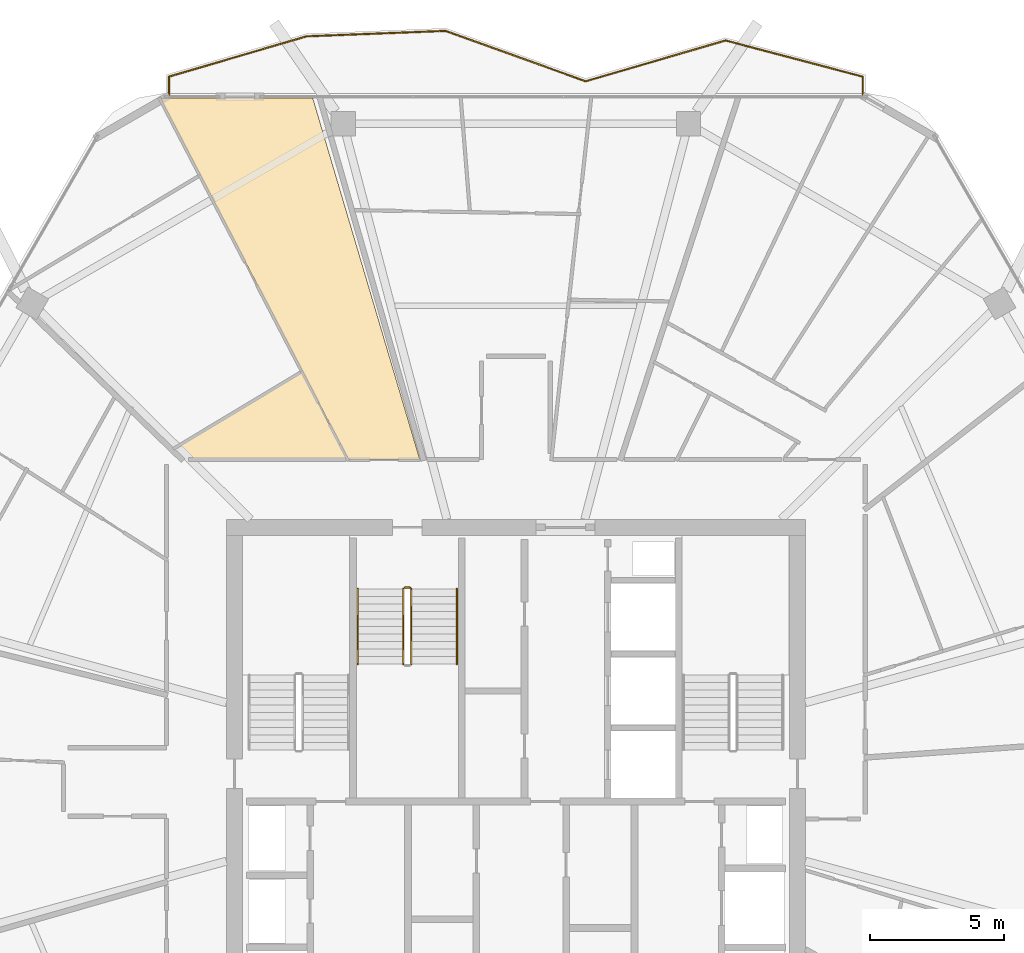
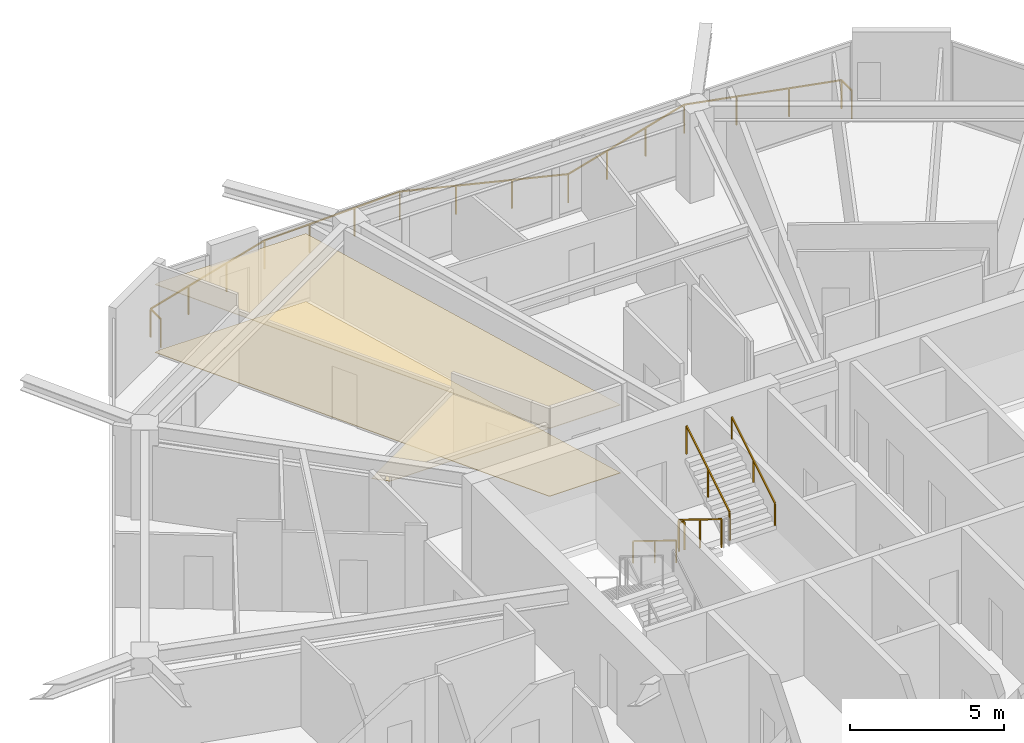
# One storey, part 26 of 26: 6 railings, 3 coverings.
"""IFC4 building model written with IfcOpenShell, lengths in metres."""

from ifc_helpers import new_model, si_unit, direction, frame, origin, origin_2d, place, context, subcontext, project, spatial, polyline, rectangle, outline, extrude, material, layer, layer_set, type_object, element, save


model = new_model("IFC4")

# Units and contexts
model_context = context("Model", 3, precision=1e-05, world=origin(), true_north=direction((0.0, 1.0)))
body_context = subcontext(model_context, "Body", "Model", "MODEL_VIEW")
ifc_project = project(units=[si_unit("LENGTHUNIT", "METRE"), si_unit("AREAUNIT", "SQUARE_METRE"), si_unit("VOLUMEUNIT", "CUBIC_METRE"), si_unit("PLANEANGLEUNIT", "RADIAN"), si_unit("MASSUNIT", "GRAM", prefix="KILO")], contexts=[model_context])

# Site, building, storey
site_placement = place(None, origin())
site = spatial("IfcSite", under=ifc_project, at=site_placement, CompositionType="ELEMENT")
building_placement = place(site_placement, origin())
building = spatial("IfcBuilding", under=site, at=building_placement, Name="Zuhravey Tower", CompositionType="ELEMENT")
storey_placement = place(building_placement, frame((0.0, 0.0, 242.60009765625)))
storey = spatial("IfcBuildingStorey", under=building, at=storey_placement, Name="L61", CompositionType="ELEMENT", Elevation=242.60009765625)

# Coverings
ifc_material_1 = material(Name="Mineral-fibre acoustic ceiling tile")
ifc_layer_1 = layer(ifc_material_1, 0.02490234375)
ifc_layer_set_1 = layer_set([ifc_layer_1], Name="Mineral-fibre acoustic ceiling tile")
covering_type_1 = type_object("IfcCoveringType", Name="Acoustic Suspended Ceiling", PredefinedType="CEILING", material=ifc_layer_set_1)
covering_1_placement = place(storey_placement, frame((0.0, 0.0, 2.68994140625)))
element("IfcCovering", 1, at=covering_1_placement, inside=storey, type_object=covering_type_1, Name="L61 Acoustic Suspended Ceiling CLG1", PredefinedType="CEILING", context=body_context, shape_type="SweptSolid", body=[
    extrude(outline(polyline([(22.965576171875, 57.523681640625), (28.418701171875, 57.523681640625), (32.415771484375, 44.030029296875), (29.7548828125, 44.030029296875), (22.744873046875, 57.484619140625), (22.965576171875, 57.523681640625)])), origin(), (0.0, 0.0, 1.0), 0.02490234375),
])
ifc_material_2 = material(Name="Porcelain tile finish")
ifc_layer_2 = layer(ifc_material_2, 0.02001953125)
ifc_layer_set_2 = layer_set([ifc_layer_2], Name="Porcelain tile finish")
covering_type_2 = type_object("IfcCoveringType", Name="Apartment Ondol Porcelain Flooring", PredefinedType="FLOORING", material=ifc_layer_set_2)
covering_2_placement = place(storey_placement, origin())
element("IfcCovering", 2, at=covering_2_placement, inside=storey, type_object=covering_type_2, Name="L61 Principal Room Acoustic Flooring", PredefinedType="FLOORING", context=body_context, shape_type="SweptSolid", body=[
    extrude(outline(polyline([(22.965576171875, 57.523681640625), (28.418701171875, 57.523681640625), (32.415771484375, 44.030029296875), (29.7548828125, 44.030029296875), (22.744873046875, 57.484619140625), (22.965576171875, 57.523681640625)])), origin(), (0.0, 0.0, 1.0), 0.02001953125),
])

# Railing
ifc_material_3 = material(Name="Stainless steel 316 and laminated glass", Category="steel")
railing_type_1 = type_object("IfcRailingType", Name="Balcony & Terrace Guardrail 1150", PredefinedType="BALUSTRADE", material=ifc_material_3)
railing_1_placement = place(storey_placement, frame((23.058349609375, 57.648681640625, 0.0)))
element("IfcRailing", 3, at=railing_1_placement, inside=storey, type_object=railing_type_1, Name="L61 Face 2 Wave Balcony Guardrail GR1", PredefinedType="BALUSTRADE", context=body_context, shape_type="SweptSolid", body=[
    extrude(rectangle(XDim=0.048095703125, YDim=0.048095703125, at=origin_2d()), frame((0.0, 0.001953125, 1.1259765625), z_axis=(0.0, 1.0, 0.0), x_axis=(-1.0, 0.0, 0.0)), (0.0, 0.0, 1.0), 0.6611328125),
    extrude(rectangle(XDim=0.048095703125, YDim=0.048095703125, at=origin_2d()), frame((0.001953125, 0.66552734375, 1.1259765625), z_axis=(0.959683966363, 0.281081277758, 0.0), x_axis=(-0.281081277758, 0.959683966363, 0.0)), (0.0, 0.0, 1.0), 5.3447265625),
    extrude(rectangle(XDim=0.048095703125, YDim=0.048095703125, at=origin_2d()), frame((5.135009765625, 2.16845703125, 1.1259765625), z_axis=(0.999235306599, 0.039099898281, 0.0), x_axis=(-0.039099898281, 0.999235306599, 0.0)), (0.0, 0.0, 1.0), 5.184814453125),
    extrude(rectangle(XDim=0.048095703125, YDim=0.048095703125, at=origin_2d()), frame((10.31982421875, 2.37060546875, 1.1259765625), z_axis=(0.941043028519, -0.338286887826, 0.0), x_axis=(0.338286887826, 0.941043028519, 0.0)), (0.0, 0.0, 1.0), 5.55224609375),
    extrude(rectangle(XDim=0.048095703125, YDim=0.048095703125, at=origin_2d()), frame((15.548583984375, 0.4921875, 1.1259765625), z_axis=(0.960058802449, 0.279798312791, 0.0), x_axis=(-0.279798312791, 0.960058802449, 0.0)), (0.0, 0.0, 1.0), 5.4345703125),
    extrude(rectangle(XDim=0.048095703125, YDim=0.048095703125, at=origin_2d()), frame((20.77001953125, 2.012939453125, 1.1259765625), z_axis=(0.966866195284, -0.255283686155, 0.0), x_axis=(0.255283686155, 0.966866195284, 0.0)), (0.0, 0.0, 1.0), 5.28662109375),
    extrude(rectangle(XDim=0.048095703125, YDim=0.048095703125, at=origin_2d()), frame((25.88330078125, 0.660888671875, 1.1259765625), z_axis=(0.0, -1.0, 0.0), x_axis=(1.0, 0.0, 0.0)), (0.0, 0.0, 1.0), 0.658935546875),
    extrude(rectangle(XDim=0.0419921875, YDim=0.0419921875, at=origin_2d()), origin(), (0.0, 0.0, 1.0), 1.099853515625),
    extrude(rectangle(XDim=0.0419921875, YDim=0.0419921875, at=origin_2d()), frame((0.0, 0.6650390625, 0.0)), (0.0, 0.0, 1.0), 1.099853515625),
    extrude(rectangle(XDim=0.0419921875, YDim=0.0419921875, at=origin_2d()), frame((1.7109375, 1.166259765625, 0.0)), (0.0, 0.0, 1.0), 1.099853515625),
    extrude(rectangle(XDim=0.0419921875, YDim=0.0419921875, at=origin_2d()), frame((3.422119140625, 1.667236328125, 0.0)), (0.0, 0.0, 1.0), 1.099853515625),
    extrude(rectangle(XDim=0.0419921875, YDim=0.0419921875, at=origin_2d()), frame((5.133056640625, 2.16845703125, 0.0)), (0.0, 0.0, 1.0), 1.099853515625),
    extrude(rectangle(XDim=0.0419921875, YDim=0.0419921875, at=origin_2d()), frame((6.861328125, 2.236083984375, 0.0)), (0.0, 0.0, 1.0), 1.099853515625),
    extrude(rectangle(XDim=0.0419921875, YDim=0.0419921875, at=origin_2d()), frame((8.589599609375, 2.3037109375, 0.0)), (0.0, 0.0, 1.0), 1.099853515625),
    extrude(rectangle(XDim=0.0419921875, YDim=0.0419921875, at=origin_2d()), frame((10.31787109375, 2.371337890625, 0.0)), (0.0, 0.0, 1.0), 1.099853515625),
    extrude(rectangle(XDim=0.0419921875, YDim=0.0419921875, at=origin_2d()), frame((12.060791015625, 1.744873046875, 0.0)), (0.0, 0.0, 1.0), 1.099853515625),
    extrude(rectangle(XDim=0.0419921875, YDim=0.0419921875, at=origin_2d()), frame((13.8037109375, 1.1181640625, 0.0)), (0.0, 0.0, 1.0), 1.099853515625),
    extrude(rectangle(XDim=0.0419921875, YDim=0.0419921875, at=origin_2d()), frame((15.546630859375, 0.49169921875, 0.0)), (0.0, 0.0, 1.0), 1.099853515625),
    extrude(rectangle(XDim=0.0419921875, YDim=0.0419921875, at=origin_2d()), frame((17.287109375, 0.9990234375, 0.0)), (0.0, 0.0, 1.0), 1.099853515625),
    extrude(rectangle(XDim=0.0419921875, YDim=0.0419921875, at=origin_2d()), frame((19.027587890625, 1.506103515625, 0.0)), (0.0, 0.0, 1.0), 1.099853515625),
    extrude(rectangle(XDim=0.0419921875, YDim=0.0419921875, at=origin_2d()), frame((20.76806640625, 2.013427734375, 0.0)), (0.0, 0.0, 1.0), 1.099853515625),
    extrude(rectangle(XDim=0.0419921875, YDim=0.0419921875, at=origin_2d()), frame((22.47314453125, 1.563232421875, 0.0)), (0.0, 0.0, 1.0), 1.099853515625),
    extrude(rectangle(XDim=0.0419921875, YDim=0.0419921875, at=origin_2d()), frame((24.17822265625, 1.113037109375, 0.0)), (0.0, 0.0, 1.0), 1.099853515625),
    extrude(rectangle(XDim=0.0419921875, YDim=0.0419921875, at=origin_2d()), frame((25.88330078125, 0.662841796875, 0.0)), (0.0, 0.0, 1.0), 1.099853515625),
    extrude(rectangle(XDim=0.0419921875, YDim=0.0419921875, at=origin_2d()), frame((25.88330078125, 0.0, 0.0)), (0.0, 0.0, 1.0), 1.099853515625),
])

# Covering
ifc_material_4 = material(Name="Moisture-resistant gypsum ceiling board")
ifc_layer_3 = layer(ifc_material_4, 0.02001953125)
ifc_layer_set_3 = layer_set([ifc_layer_3], Name="Moisture-resistant gypsum ceiling board")
covering_type_3 = type_object("IfcCoveringType", Name="Moisture-Resistant Ceiling", PredefinedType="CEILING", material=ifc_layer_set_3)
covering_3_placement = place(storey_placement, frame((0.0, 0.0, 2.68994140625)))
element("IfcCovering", 4, at=covering_3_placement, inside=storey, type_object=covering_type_3, Name="L61 Wet-Room Ceiling CLG2", PredefinedType="CEILING", context=body_context, shape_type="SweptSolid", body=[
    extrude(outline(polyline([(29.709716796875, 44.030029296875), (23.78662109375, 44.030029296875), (23.3369140625, 44.47216796875), (28.014892578125, 47.282958984375), (29.709716796875, 44.030029296875)])), origin(), (0.0, 0.0, 1.0), 0.02001953125),
])

# Railings
ifc_material_5 = material(Name="Brushed stainless steel", Category="steel")
railing_type_2 = type_object("IfcRailingType", Name="Stair Wall Handrail 900", PredefinedType="HANDRAIL", material=ifc_material_5)
railing_2_placement = place(storey_placement, frame((30.10009765625, 39.199951171875, 0.172607421875)))
element("IfcRailing", 5, at=railing_2_placement, inside=storey, type_object=railing_type_2, Name="L61 ST3 stair handrail 1", PredefinedType="HANDRAIL", context=body_context, shape_type="SweptSolid", body=[
    extrude(rectangle(XDim=0.048095703125, YDim=0.048095703125, at=origin_2d()), frame((0.0, -0.001708984375, 0.876953125), z_axis=(0.0, -0.851089632645, 0.525020415988), x_axis=(1.0, 0.0, 0.0)), (0.0, 0.0, 1.0), 3.285888671875),
    extrude(rectangle(XDim=0.0419921875, YDim=0.0419921875, at=origin_2d()), origin(), (0.0, 0.0, 1.0), 0.849853515625),
    extrude(rectangle(XDim=0.0419921875, YDim=0.0419921875, at=origin_2d()), frame((0.0, -1.39990234375, 0.86376953125)), (0.0, 0.0, 1.0), 0.849853515625),
    extrude(rectangle(XDim=0.0419921875, YDim=0.0419921875, at=origin_2d()), frame((0.0, -2.800048828125, 1.727294921875)), (0.0, 0.0, 1.0), 0.849853515625),
])
railing_3_placement = place(storey_placement, frame((33.800048828125, 36.39990234375, 2.072509765625)))
element("IfcRailing", 6, at=railing_3_placement, inside=storey, type_object=railing_type_2, Name="L61 ST3 stair handrail 2", PredefinedType="HANDRAIL", context=body_context, shape_type="SweptSolid", body=[
    extrude(rectangle(XDim=0.048095703125, YDim=0.048095703125, at=origin_2d()), frame((0.0, 0.001708984375, 0.876953125), z_axis=(0.0, 0.851089632645, 0.525020415988), x_axis=(-1.0, 0.0, 0.0)), (0.0, 0.0, 1.0), 3.285888671875),
    extrude(rectangle(XDim=0.0419921875, YDim=0.0419921875, at=origin_2d()), origin(), (0.0, 0.0, 1.0), 0.849853515625),
    extrude(rectangle(XDim=0.0419921875, YDim=0.0419921875, at=origin_2d()), frame((0.0, 1.39990234375, 0.86376953125)), (0.0, 0.0, 1.0), 0.849853515625),
    extrude(rectangle(XDim=0.0419921875, YDim=0.0419921875, at=origin_2d()), frame((0.0, 2.800048828125, 1.727294921875)), (0.0, 0.0, 1.0), 0.849853515625),
])
ifc_material_6 = material(Name="Painted tubular steel", Category="steel")
railing_type_3 = type_object("IfcRailingType", Name="Stair Well Guardrail 1150", PredefinedType="GUARDRAIL", material=ifc_material_6)
railing_4_placement = place(storey_placement, frame((31.800048828125, 39.199951171875, 0.172607421875)))
element("IfcRailing", 7, at=railing_4_placement, inside=storey, type_object=railing_type_3, Name="L61 ST3 stair guard 1", PredefinedType="GUARDRAIL", context=body_context, shape_type="SweptSolid", body=[
    extrude(rectangle(XDim=0.048095703125, YDim=0.048095703125, at=origin_2d()), frame((0.0, -0.001708984375, 1.126953125), z_axis=(0.0, -0.851089632645, 0.525020415988), x_axis=(1.0, 0.0, 0.0)), (0.0, 0.0, 1.0), 3.285888671875),
    extrude(rectangle(XDim=0.0419921875, YDim=0.0419921875, at=origin_2d()), origin(), (0.0, 0.0, 1.0), 1.099853515625),
    extrude(rectangle(XDim=0.0419921875, YDim=0.0419921875, at=origin_2d()), frame((0.0, -1.39990234375, 0.86376953125)), (0.0, 0.0, 1.0), 1.099853515625),
    extrude(rectangle(XDim=0.0419921875, YDim=0.0419921875, at=origin_2d()), frame((0.0, -2.800048828125, 1.727294921875)), (0.0, 0.0, 1.0), 1.099853515625),
])
railing_5_placement = place(storey_placement, frame((32.10009765625, 36.39990234375, 2.072509765625)))
element("IfcRailing", 8, at=railing_5_placement, inside=storey, type_object=railing_type_3, Name="L61 ST3 stair guard 3", PredefinedType="GUARDRAIL", context=body_context, shape_type="SweptSolid", body=[
    extrude(rectangle(XDim=0.048095703125, YDim=0.048095703125, at=origin_2d()), frame((0.0, 0.001708984375, 1.126953125), z_axis=(0.0, 0.851089632645, 0.525020415988), x_axis=(-1.0, 0.0, 0.0)), (0.0, 0.0, 1.0), 3.285888671875),
    extrude(rectangle(XDim=0.0419921875, YDim=0.0419921875, at=origin_2d()), origin(), (0.0, 0.0, 1.0), 1.099853515625),
    extrude(rectangle(XDim=0.0419921875, YDim=0.0419921875, at=origin_2d()), frame((0.0, 1.39990234375, 0.86376953125)), (0.0, 0.0, 1.0), 1.099853515625),
    extrude(rectangle(XDim=0.0419921875, YDim=0.0419921875, at=origin_2d()), frame((0.0, 2.800048828125, 1.727294921875)), (0.0, 0.0, 1.0), 1.099853515625),
])
railing_6_placement = place(storey_placement, frame((31.85009765625, 39.25, 0.0)))
element("IfcRailing", 9, at=railing_6_placement, inside=storey, type_object=railing_type_3, Name="L61 ST3 stair guard 4", PredefinedType="GUARDRAIL", context=body_context, shape_type="SweptSolid", body=[
    extrude(rectangle(XDim=0.048095703125, YDim=0.048095703125, at=origin_2d()), frame((0.001953125, 0.0, 1.1259765625), z_axis=(1.0, 0.0, 0.0), x_axis=(0.0, 1.0, 0.0)), (0.0, 0.0, 1.0), 0.196044921875),
    extrude(rectangle(XDim=0.0419921875, YDim=0.0419921875, at=origin_2d()), origin(), (0.0, 0.0, 1.0), 1.099853515625),
    extrude(rectangle(XDim=0.0419921875, YDim=0.0419921875, at=origin_2d()), frame((0.199951171875, 0.0, 0.0)), (0.0, 0.0, 1.0), 1.099853515625),
])

save(model, "model.ifc")
